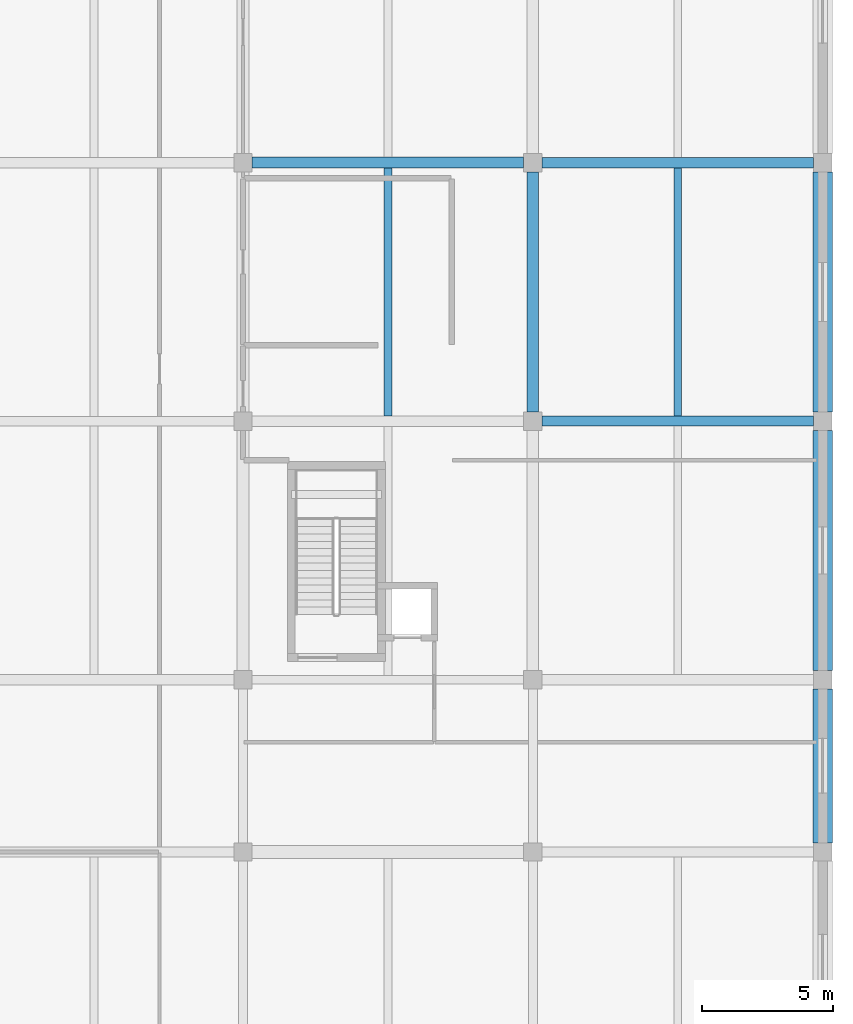
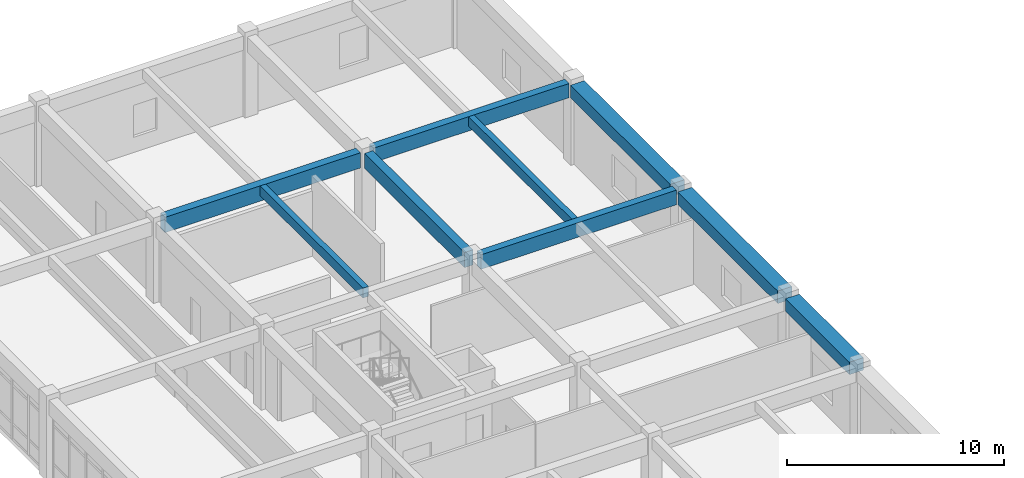
# One storey, part 30 of 65: 9 beams.
"""IFC4 building model written with IfcOpenShell, lengths in metres."""

from ifc_helpers import new_model, si_unit, direction, frame, origin, origin_2d, place, context, subcontext, project, spatial, rectangle, extrude, material, material_profile, profile_set, type_object, element, save


model = new_model("IFC4")

# Units and contexts
model_context = context("Model", 3, precision=1e-05, world=origin(), true_north=direction((0.0, 1.0)))
body_context = subcontext(model_context, "Body", "Model", "MODEL_VIEW")
ifc_project = project(units=[si_unit("LENGTHUNIT", "METRE"), si_unit("AREAUNIT", "SQUARE_METRE"), si_unit("VOLUMEUNIT", "CUBIC_METRE"), si_unit("PLANEANGLEUNIT", "RADIAN"), si_unit("MASSUNIT", "GRAM", prefix="KILO")], contexts=[model_context])

# Site, building, storey
site_placement = place(None, origin())
site = spatial("IfcSite", under=ifc_project, at=site_placement, CompositionType="ELEMENT")
building_placement = place(site_placement, origin())
building = spatial("IfcBuilding", under=site, at=building_placement, Name="Miralva Faculty of Natural Sciences", CompositionType="ELEMENT")
storey_placement = place(building_placement, frame((0.0, 0.0, 10.199951171875)))
storey = spatial("IfcBuildingStorey", under=building, at=storey_placement, Name="L02", CompositionType="ELEMENT", Elevation=10.199951171875)

# Beams
ifc_material = material(Name="Concrete C40/50", Category="concrete")
ifc_material_profile_1 = material_profile(ifc_material, rectangle(XDim=0.449951171875, YDim=0.85009765625, at=origin_2d()), Name="RC 450x850")
ifc_profile_set_1 = profile_set([ifc_material_profile_1], Name="Concrete C40/50")
beam_type_1 = type_object("IfcBeamType", Name="BM-B01", PredefinedType="BEAM", material=ifc_profile_set_1)
beam_1_placement = place(storey_placement, frame((156.300048828125, 55.85009765625, 4.094970703125), z_axis=(0.0, 1.0, 0.0), x_axis=(-1.0, 0.0, 0.0)))
element("IfcBeam", 1, at=beam_1_placement, inside=storey, type_object=beam_type_1, Name="Girder NS L02-139", PredefinedType="BEAM", context=body_context, shape_type="SweptSolid", body=[
    extrude(rectangle(XDim=0.449951171875, YDim=0.85009765625, at=origin_2d()), origin(), (0.0, 0.0, 1.0), 9.199951171875),
])
ifc_material_profile_2 = material_profile(ifc_material, rectangle(XDim=0.39990234375, YDim=0.800048828125, at=origin_2d()), Name="RC 400x800")
ifc_profile_set_2 = profile_set([ifc_material_profile_2], Name="Concrete C40/50")
beam_type_2 = type_object("IfcBeamType", Name="BM-B02", PredefinedType="BEAM", material=ifc_profile_set_2)
beam_2_placement = place(storey_placement, frame((156.64990234375, 65.39990234375, 4.1201171875), z_axis=(1.0, 0.0, 0.0), x_axis=(0.0, 1.0, 0.0)))
element("IfcBeam", 2, at=beam_2_placement, inside=storey, type_object=beam_type_2, Name="Girder EW L02-54", PredefinedType="BEAM", context=body_context, shape_type="SweptSolid", body=[
    extrude(rectangle(XDim=0.39990234375, YDim=0.800048828125, at=origin_2d()), origin(), (0.0, 0.0, 1.0), 10.400146484375),
])
ifc_material_profile_3 = material_profile(ifc_material, rectangle(XDim=0.3798828125, YDim=0.820068359375, at=origin_2d()), Name="RC 380x820")
ifc_profile_set_3 = profile_set([ifc_material_profile_3], Name="Concrete C40/50")
beam_type_3 = type_object("IfcBeamType", Name="BM-BG08", PredefinedType="BEAM", material=ifc_profile_set_3)
beam_3_placement = place(storey_placement, frame((156.64990234375, 55.5, 4.110107421875), z_axis=(1.0, 0.0, 0.0), x_axis=(0.0, 1.0, 0.0)))
element("IfcBeam", 3, at=beam_3_placement, inside=storey, type_object=beam_type_3, Name="Girder EW L02-49", PredefinedType="BEAM", context=body_context, shape_type="SweptSolid", body=[
    extrude(rectangle(XDim=0.3798828125, YDim=0.820068359375, at=origin_2d()), origin(), (0.0, 0.0, 1.0), 10.400146484375),
])
ifc_material_profile_4 = material_profile(ifc_material, rectangle(XDim=0.419921875, YDim=0.860107421875, at=origin_2d()), Name="RC 420x860")
ifc_profile_set_4 = profile_set([ifc_material_profile_4], Name="Concrete C40/50")
beam_type_4 = type_object("IfcBeamType", Name="BM-BG12", PredefinedType="BEAM", material=ifc_profile_set_4)
beam_4_placement = place(storey_placement, frame((145.550048828125, 65.39990234375, 4.090087890625), z_axis=(1.0, 0.0, 0.0), x_axis=(0.0, 1.0, 0.0)))
element("IfcBeam", 4, at=beam_4_placement, inside=storey, type_object=beam_type_4, Name="Girder EW L02-53", PredefinedType="BEAM", context=body_context, shape_type="SweptSolid", body=[
    extrude(rectangle(XDim=0.419921875, YDim=0.860107421875, at=origin_2d()), origin(), (0.0, 0.0, 1.0), 10.39990234375),
])
ifc_material_profile_5 = material_profile(ifc_material, rectangle(XDim=0.300048828125, YDim=0.550048828125, at=origin_2d()), Name="RC 300x550")
ifc_profile_set_5 = profile_set([ifc_material_profile_5], Name="Concrete C40/50")
beam_type_5 = type_object("IfcBeamType", Name="BM-J02", PredefinedType="JOIST", material=ifc_profile_set_5)
beam_5_placement = place(storey_placement, frame((150.75, 55.699951171875, 4.2451171875), z_axis=(0.0, 1.0, 0.0), x_axis=(-1.0, 0.0, 0.0)))
element("IfcBeam", 5, at=beam_5_placement, inside=storey, type_object=beam_type_5, Name="Floor joist L02-20", PredefinedType="JOIST", context=body_context, shape_type="SweptSolid", body=[
    extrude(rectangle(XDim=0.300048828125, YDim=0.550048828125, at=origin_2d()), origin(), (0.0, 0.0, 1.0), 9.489990234375),
])
beam_6_placement = place(storey_placement, frame((161.85009765625, 55.68994140625, 4.2451171875), z_axis=(0.0, 1.0, 0.0), x_axis=(-1.0, 0.0, 0.0)))
element("IfcBeam", 6, at=beam_6_placement, inside=storey, type_object=beam_type_5, Name="Floor joist L02-21", PredefinedType="JOIST", context=body_context, shape_type="SweptSolid", body=[
    extrude(rectangle(XDim=0.300048828125, YDim=0.550048828125, at=origin_2d()), origin(), (0.0, 0.0, 1.0), 9.510009765625),
])
ifc_material_profile_6 = material_profile(ifc_material, rectangle(XDim=0.75, YDim=0.699951171875, at=origin_2d()), Name="RC 750x700")
ifc_profile_set_6 = profile_set([ifc_material_profile_6], Name="Concrete C40/50")
beam_type_6 = type_object("IfcBeamType", Name="BM-SP01", PredefinedType="SPANDREL", material=ifc_profile_set_6)
beam_7_placement = place(storey_placement, frame((167.39990234375, 39.35009765625, 4.170166015625), z_axis=(0.0, 1.0, 0.0), x_axis=(-1.0, 0.0, 0.0)))
element("IfcBeam", 7, at=beam_7_placement, inside=storey, type_object=beam_type_6, Name="Girder NS L02-144", PredefinedType="SPANDREL", context=body_context, shape_type="SweptSolid", body=[
    extrude(rectangle(XDim=0.75, YDim=0.699951171875, at=origin_2d()), origin(), (0.0, 0.0, 1.0), 5.89990234375),
])
for number, where, z_axis, x_axis, name in (
    (8, (167.39990234375, 45.949951171875, 4.170166015625), (0.0, 1.0, 0.0), (-1.0, 0.0, 0.0), "Girder NS L02-145"),
    (9, (167.39990234375, 55.85009765625, 4.170166015625), (0.0, 1.0, 0.0), (-1.0, 0.0, 0.0), "Girder NS L02-146"),
):
    element("IfcBeam", number, at=place(storey_placement, frame(where, z_axis=z_axis, x_axis=x_axis)), inside=storey, type_object=beam_type_6, Name=name, PredefinedType="SPANDREL", context=body_context, shape_type="SweptSolid", body=[
        extrude(rectangle(XDim=0.75, YDim=0.699951171875, at=origin_2d()), origin(), (0.0, 0.0, 1.0), 9.199951171875),
    ])

save(model, "model.ifc")
